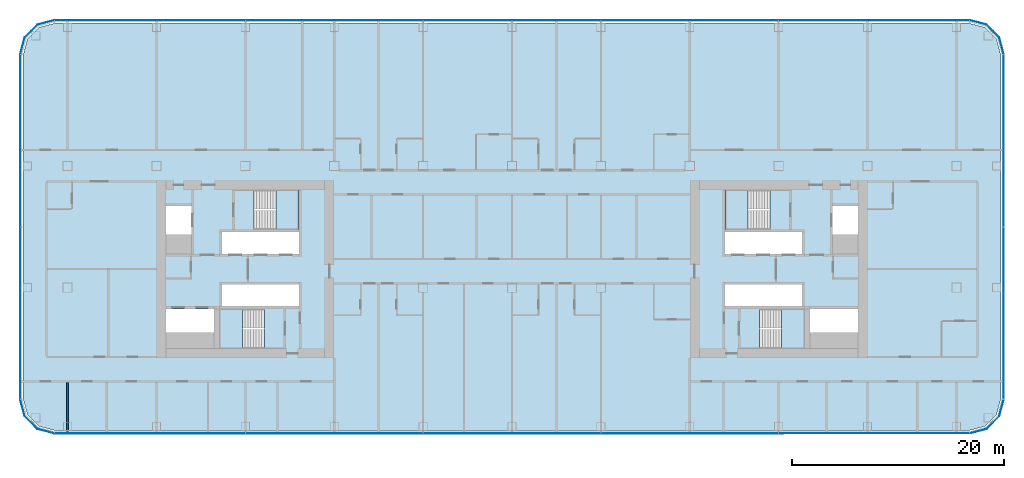
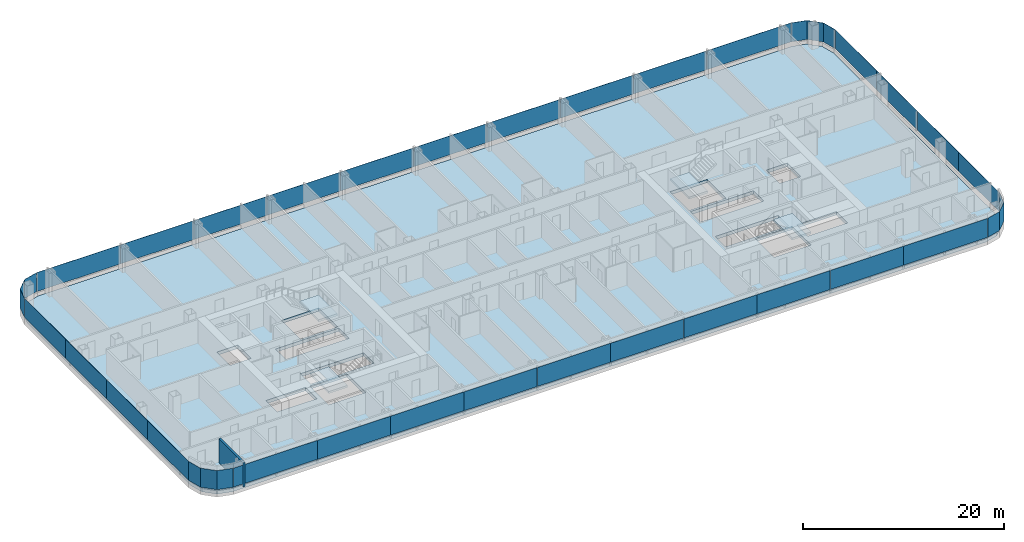
# One storey, part 14 of 29: 32 plates, 5 slabs, 1 wall, 12 elements without a shape of their own.
"""IFC4 building model written with IfcOpenShell, lengths in metres."""

from ifc_helpers import new_model, si_unit, direction, frame, frame_2d, origin, origin_2d, place, context, subcontext, project, spatial, polyline, rectangle, outline, extrude, material, layer, layer_set, type_object, element, aggregate, save


model = new_model("IFC4")

# Units and contexts
model_context = context("Model", 3, precision=1e-05, world=origin(), true_north=direction((0.0, 1.0)))
body_context = subcontext(model_context, "Body", "Model", "MODEL_VIEW")
ifc_project = project(units=[si_unit("LENGTHUNIT", "METRE"), si_unit("AREAUNIT", "SQUARE_METRE"), si_unit("VOLUMEUNIT", "CUBIC_METRE"), si_unit("PLANEANGLEUNIT", "RADIAN"), si_unit("MASSUNIT", "GRAM", prefix="KILO")], contexts=[model_context])

# Site, building, storey
site_placement = place(None, origin())
site = spatial("IfcSite", under=ifc_project, at=site_placement, CompositionType="ELEMENT")
building_placement = place(site_placement, origin())
building = spatial("IfcBuilding", under=site, at=building_placement, Name="Hakoniwa Tower and Hamabe Station Hall", CompositionType="ELEMENT")
storey_placement = place(building_placement, frame((0.0, 0.0, 117.0)))
storey = spatial("IfcBuildingStorey", under=building, at=storey_placement, Name="L33", CompositionType="ELEMENT", Elevation=117.0)

# Stair, slab
ifc_material_1 = material(Name="Concrete C40", Category="concrete")
stair_type = type_object("IfcStairType", Name="ESCAPE STAIR 1800", PredefinedType="HALF_TURN_STAIR", material=ifc_material_1)
stair_1_placement = place(storey_placement, origin())
stair_1 = element("IfcStair", 1, at=stair_1_placement, inside=storey, type_object=stair_type, Name="Escape stair ST-1 L33", PredefinedType="HALF_TURN_STAIR")
ifc_material_2 = material(Name="Concrete C40", Category="concrete")
ifc_layer_1 = layer(ifc_material_2, 0.25)
ifc_layer_set_1 = layer_set([ifc_layer_1], Name="CORE STAIR LANDING 250")
slab_type_1 = type_object("IfcSlabType", Name="CORE STAIR LANDING 250", PredefinedType="LANDING", material=ifc_layer_set_1)
slab_1_placement = place(storey_placement, frame((0.0, 0.0, 1.35009765625)))
slab_1 = element("IfcSlab", 2, at=slab_1_placement, type_object=slab_type_1, Name="ST-1 landing 1", PredefinedType="LANDING", context=body_context, shape_type="SweptSolid", body=[
    extrude(outline(polyline([(-22.320068359375, 3.75), (-20.14990234375, 3.75), (-20.14990234375, 7.5), (-22.320068359375, 7.5), (-22.320068359375, 3.75)])), origin(), (0.0, 0.0, 1.0), 0.25),
])
aggregate(stair_1, [slab_1])

stair_2_placement = place(storey_placement, origin())
stair_2 = element("IfcStair", 3, at=stair_2_placement, inside=storey, type_object=stair_type, Name="Escape stair ST-2 L33", PredefinedType="HALF_TURN_STAIR")
slab_2_placement = place(storey_placement, frame((0.0, 0.0, 1.35009765625)))
slab_2 = element("IfcSlab", 4, at=slab_2_placement, type_object=slab_type_1, Name="ST-2 landing 1", PredefinedType="LANDING", context=body_context, shape_type="SweptSolid", body=[
    extrude(outline(polyline([(-25.47998046875, -7.5), (-27.64990234375, -7.5), (-27.64990234375, -3.75), (-25.47998046875, -3.75), (-25.47998046875, -7.5)])), origin(), (0.0, 0.0, 1.0), 0.25),
])
aggregate(stair_2, [slab_2])

stair_3_placement = place(storey_placement, origin())
stair_3 = element("IfcStair", 5, at=stair_3_placement, inside=storey, type_object=stair_type, Name="Escape stair ST-3 L33", PredefinedType="HALF_TURN_STAIR")
slab_3_placement = place(storey_placement, frame((0.0, 0.0, 1.35009765625)))
slab_3 = element("IfcSlab", 6, at=slab_3_placement, type_object=slab_type_1, Name="ST-3 landing 1", PredefinedType="LANDING", context=body_context, shape_type="SweptSolid", body=[
    extrude(outline(polyline([(22.320068359375, 3.75), (20.14990234375, 3.75), (20.14990234375, 7.5), (22.320068359375, 7.5), (22.320068359375, 3.75)])), origin(), (0.0, 0.0, 1.0), 0.25),
])
aggregate(stair_3, [slab_3])

stair_4_placement = place(storey_placement, origin())
stair_4 = element("IfcStair", 7, at=stair_4_placement, inside=storey, type_object=stair_type, Name="Escape stair ST-4 L33", PredefinedType="HALF_TURN_STAIR")
slab_4_placement = place(storey_placement, frame((0.0, 0.0, 1.35009765625)))
slab_4 = element("IfcSlab", 8, at=slab_4_placement, type_object=slab_type_1, Name="ST-4 landing 1", PredefinedType="LANDING", context=body_context, shape_type="SweptSolid", body=[
    extrude(outline(polyline([(25.47998046875, -7.5), (27.64990234375, -7.5), (27.64990234375, -3.75), (25.47998046875, -3.75), (25.47998046875, -7.5)])), origin(), (0.0, 0.0, 1.0), 0.25),
])
aggregate(stair_4, [slab_4])

# Curtain wall, plates
ifc_material_3 = material(Name="Dark low-e laminated glass", Category="glass")
ifc_layer_2 = layer(ifc_material_3, 0.199951171875)
ifc_layer_set_2 = layer_set([ifc_layer_2], Name="CW-1 UNITISED GUEST")
curtain_wall_type = type_object("IfcCurtainWallType", Name="CW-1 UNITISED GUEST", PredefinedType="NOTDEFINED", material=ifc_layer_set_2)
curtain_wall_1_placement = place(storey_placement, origin())
curtain_wall_1 = element("IfcCurtainWall", 9, at=curtain_wall_1_placement, inside=storey, type_object=curtain_wall_type, Name="CW-1 curtain wall", PredefinedType="NOTDEFINED")
ifc_material_4 = material(Name="Dark low-e laminated glass", Category="glass")
ifc_layer_3 = layer(ifc_material_4, 0.028076171875)
ifc_layer_set_3 = layer_set([ifc_layer_3], Name="CW-1 GLASS UNIT")
plate_type = type_object("IfcPlateType", Name="CW-1 GLASS UNIT", PredefinedType="CURTAIN_PANEL", material=ifc_layer_set_3)
plate_1_placement = place(storey_placement, frame((46.486083984375, -8.217041015625, 0.35009765625), z_axis=(0.0, 0.0, 1.0), x_axis=(0.0, 1.0, 0.0)))
plate_1 = element("IfcPlate", 10, at=plate_1_placement, type_object=plate_type, Name="CW-1 glass unit", PredefinedType="CURTAIN_PANEL", context=body_context, shape_type="SweptSolid", body=[
    extrude(rectangle(XDim=8.124755859375, YDim=0.028076171875, at=origin_2d()), origin(), (0.0, 0.0, 1.0), 2.300048828125),
])
plate_2_placement = place(storey_placement, frame((46.486083984375, -0.072265625, 0.35009765625), z_axis=(0.0, 0.0, 1.0), x_axis=(0.0, 1.0, 0.0)))
plate_2 = element("IfcPlate", 11, at=plate_2_placement, type_object=plate_type, Name="CW-1 glass unit", PredefinedType="CURTAIN_PANEL", context=body_context, shape_type="SweptSolid", body=[
    extrude(rectangle(XDim=8.124755859375, YDim=0.028076171875, at=origin_2d()), origin(), (0.0, 0.0, 1.0), 2.300048828125),
])
plate_3_placement = place(storey_placement, frame((46.486083984375, 8.072265625, 0.35009765625), z_axis=(0.0, 0.0, 1.0), x_axis=(0.0, 1.0, 0.0)))
plate_3 = element("IfcPlate", 12, at=plate_3_placement, type_object=plate_type, Name="CW-1 glass unit", PredefinedType="CURTAIN_PANEL", context=body_context, shape_type="SweptSolid", body=[
    extrude(rectangle(XDim=8.124755859375, YDim=0.028076171875, at=origin_2d()), origin(), (0.0, 0.0, 1.0), 2.300048828125),
])
plate_4_placement = place(storey_placement, frame((46.486083984375, 16.217041015625, 0.35009765625), z_axis=(0.0, 0.0, 1.0), x_axis=(0.0, 1.0, 0.0)))
plate_4 = element("IfcPlate", 13, at=plate_4_placement, type_object=plate_type, Name="CW-1 glass unit", PredefinedType="CURTAIN_PANEL", context=body_context, shape_type="SweptSolid", body=[
    extrude(rectangle(XDim=8.124755859375, YDim=0.028076171875, at=origin_2d()), origin(), (0.0, 0.0, 1.0), 2.300048828125),
])
aggregate(curtain_wall_1, [plate_1, plate_2, plate_3, plate_4])

# Curtain wall, plate
curtain_wall_2_placement = place(storey_placement, origin())
curtain_wall_2 = element("IfcCurtainWall", 14, at=curtain_wall_2_placement, inside=storey, type_object=curtain_wall_type, Name="CW-1 curtain wall", PredefinedType="NOTDEFINED")
plate_5_placement = place(storey_placement, frame((0.0, 0.0, 0.35009765625)))
plate_5 = element("IfcPlate", 15, at=plate_5_placement, type_object=plate_type, Name="CW-1 curved corner unit", PredefinedType="CURTAIN_PANEL", context=body_context, shape_type="SweptSolid", body=[
    extrude(outline(polyline([(46.48974609375, 20.328125), (46.067138671875, 21.9052734375), (44.855224609375, 23.116943359375), (43.278076171875, 23.53955078125), (43.27099609375, 23.5126953125), (44.8408203125, 23.092041015625), (46.0419921875, 21.890869140625), (46.462646484375, 20.32080078125), (46.48974609375, 20.328125)])), origin(), (0.0, 0.0, 1.0), 2.2998046875),
])
aggregate(curtain_wall_2, [plate_5])

# Curtain wall, plates
curtain_wall_3_placement = place(storey_placement, origin())
curtain_wall_3 = element("IfcCurtainWall", 16, at=curtain_wall_3_placement, inside=storey, type_object=curtain_wall_type, Name="CW-1 curtain wall", PredefinedType="NOTDEFINED")
plate_6_placement = place(storey_placement, frame((38.419677734375, 23.535888671875, 0.35009765625), z_axis=(0.0, 0.0, 1.0), x_axis=(-1.0, 0.0, 0.0)))
plate_6 = element("IfcPlate", 17, at=plate_6_placement, type_object=plate_type, Name="CW-1 glass unit", PredefinedType="CURTAIN_PANEL", context=body_context, shape_type="SweptSolid", body=[
    extrude(rectangle(XDim=9.619384765625, YDim=0.028076171875, at=origin_2d()), origin(), (0.0, 0.0, 1.0), 2.300048828125),
])
plate_7_placement = place(storey_placement, frame((29.39990234375, 23.535888671875, 0.35009765625), z_axis=(0.0, 0.0, 1.0), x_axis=(-1.0, 0.0, 0.0)))
plate_7 = element("IfcPlate", 18, at=plate_7_placement, type_object=plate_type, Name="CW-1 glass unit", PredefinedType="CURTAIN_PANEL", context=body_context, shape_type="SweptSolid", body=[
    extrude(rectangle(XDim=8.3798828125, YDim=0.028076171875, at=origin_2d()), origin(), (0.0, 0.0, 1.0), 2.300048828125),
])
plate_8_placement = place(storey_placement, frame((21.0, 23.535888671875, 0.35009765625), z_axis=(0.0, 0.0, 1.0), x_axis=(-1.0, 0.0, 0.0)))
plate_8 = element("IfcPlate", 19, at=plate_8_placement, type_object=plate_type, Name="CW-1 glass unit", PredefinedType="CURTAIN_PANEL", context=body_context, shape_type="SweptSolid", body=[
    extrude(rectangle(XDim=8.3798828125, YDim=0.028076171875, at=origin_2d()), origin(), (0.0, 0.0, 1.0), 2.300048828125),
])
plate_9_placement = place(storey_placement, frame((12.60009765625, 23.535888671875, 0.35009765625), z_axis=(0.0, 0.0, 1.0), x_axis=(-1.0, 0.0, 0.0)))
plate_9 = element("IfcPlate", 20, at=plate_9_placement, type_object=plate_type, Name="CW-1 glass unit", PredefinedType="CURTAIN_PANEL", context=body_context, shape_type="SweptSolid", body=[
    extrude(rectangle(XDim=8.3798828125, YDim=0.028076171875, at=origin_2d()), origin(), (0.0, 0.0, 1.0), 2.300048828125),
])
plate_10_placement = place(storey_placement, frame((4.199951171875, 23.535888671875, 0.35009765625), z_axis=(0.0, 0.0, 1.0), x_axis=(-1.0, 0.0, 0.0)))
plate_10 = element("IfcPlate", 21, at=plate_10_placement, type_object=plate_type, Name="CW-1 glass unit", PredefinedType="CURTAIN_PANEL", context=body_context, shape_type="SweptSolid", body=[
    extrude(rectangle(XDim=8.3798828125, YDim=0.028076171875, at=origin_2d()), origin(), (0.0, 0.0, 1.0), 2.300048828125),
])
plate_11_placement = place(storey_placement, frame((-4.199951171875, 23.535888671875, 0.35009765625), z_axis=(0.0, 0.0, 1.0), x_axis=(-1.0, 0.0, 0.0)))
plate_11 = element("IfcPlate", 22, at=plate_11_placement, type_object=plate_type, Name="CW-1 glass unit", PredefinedType="CURTAIN_PANEL", context=body_context, shape_type="SweptSolid", body=[
    extrude(rectangle(XDim=8.3798828125, YDim=0.028076171875, at=origin_2d()), origin(), (0.0, 0.0, 1.0), 2.300048828125),
])
plate_12_placement = place(storey_placement, frame((-12.60009765625, 23.535888671875, 0.35009765625), z_axis=(0.0, 0.0, 1.0), x_axis=(-1.0, 0.0, 0.0)))
plate_12 = element("IfcPlate", 23, at=plate_12_placement, type_object=plate_type, Name="CW-1 glass unit", PredefinedType="CURTAIN_PANEL", context=body_context, shape_type="SweptSolid", body=[
    extrude(rectangle(XDim=8.3798828125, YDim=0.028076171875, at=origin_2d()), origin(), (0.0, 0.0, 1.0), 2.300048828125),
])
plate_13_placement = place(storey_placement, frame((-21.0, 23.535888671875, 0.35009765625), z_axis=(0.0, 0.0, 1.0), x_axis=(-1.0, 0.0, 0.0)))
plate_13 = element("IfcPlate", 24, at=plate_13_placement, type_object=plate_type, Name="CW-1 glass unit", PredefinedType="CURTAIN_PANEL", context=body_context, shape_type="SweptSolid", body=[
    extrude(rectangle(XDim=8.3798828125, YDim=0.028076171875, at=origin_2d()), origin(), (0.0, 0.0, 1.0), 2.300048828125),
])
plate_14_placement = place(storey_placement, frame((-29.39990234375, 23.535888671875, 0.35009765625), z_axis=(0.0, 0.0, 1.0), x_axis=(-1.0, 0.0, 0.0)))
plate_14 = element("IfcPlate", 25, at=plate_14_placement, type_object=plate_type, Name="CW-1 glass unit", PredefinedType="CURTAIN_PANEL", context=body_context, shape_type="SweptSolid", body=[
    extrude(rectangle(XDim=8.3798828125, YDim=0.028076171875, at=origin_2d()), origin(), (0.0, 0.0, 1.0), 2.300048828125),
])
plate_15_placement = place(storey_placement, frame((-38.419677734375, 23.535888671875, 0.35009765625), z_axis=(0.0, 0.0, 1.0), x_axis=(-1.0, 0.0, 0.0)))
plate_15 = element("IfcPlate", 26, at=plate_15_placement, type_object=plate_type, Name="CW-1 glass unit", PredefinedType="CURTAIN_PANEL", context=body_context, shape_type="SweptSolid", body=[
    extrude(rectangle(XDim=9.619384765625, YDim=0.028076171875, at=origin_2d()), origin(), (0.0, 0.0, 1.0), 2.300048828125),
])
aggregate(curtain_wall_3, [plate_6, plate_7, plate_8, plate_9, plate_10, plate_11, plate_12, plate_13, plate_14, plate_15])

# Curtain wall, plate
curtain_wall_4_placement = place(storey_placement, origin())
curtain_wall_4 = element("IfcCurtainWall", 27, at=curtain_wall_4_placement, inside=storey, type_object=curtain_wall_type, Name="CW-1 curtain wall", PredefinedType="NOTDEFINED")
plate_16_placement = place(storey_placement, frame((0.0, 0.0, 0.35009765625)))
plate_16 = element("IfcPlate", 28, at=plate_16_placement, type_object=plate_type, Name="CW-1 curved corner unit", PredefinedType="CURTAIN_PANEL", context=body_context, shape_type="SweptSolid", body=[
    extrude(outline(polyline([(-43.278076171875, 23.53955078125), (-44.855224609375, 23.116943359375), (-46.067138671875, 21.9052734375), (-46.48974609375, 20.328125), (-46.462646484375, 20.32080078125), (-46.0419921875, 21.890869140625), (-44.8408203125, 23.092041015625), (-43.27099609375, 23.5126953125), (-43.278076171875, 23.53955078125)])), origin(), (0.0, 0.0, 1.0), 2.2998046875),
])
aggregate(curtain_wall_4, [plate_16])

# Curtain wall, plates
curtain_wall_5_placement = place(storey_placement, origin())
curtain_wall_5 = element("IfcCurtainWall", 29, at=curtain_wall_5_placement, inside=storey, type_object=curtain_wall_type, Name="CW-1 curtain wall", PredefinedType="NOTDEFINED")
plate_17_placement = place(storey_placement, frame((-46.486083984375, 16.217041015625, 0.35009765625), z_axis=(0.0, 0.0, 1.0), x_axis=(0.0, -1.0, 0.0)))
plate_17 = element("IfcPlate", 30, at=plate_17_placement, type_object=plate_type, Name="CW-1 glass unit", PredefinedType="CURTAIN_PANEL", context=body_context, shape_type="SweptSolid", body=[
    extrude(rectangle(XDim=8.124755859375, YDim=0.028076171875, at=origin_2d()), origin(), (0.0, 0.0, 1.0), 2.300048828125),
])
plate_18_placement = place(storey_placement, frame((-46.486083984375, 8.072265625, 0.35009765625), z_axis=(0.0, 0.0, 1.0), x_axis=(0.0, -1.0, 0.0)))
plate_18 = element("IfcPlate", 31, at=plate_18_placement, type_object=plate_type, Name="CW-1 glass unit", PredefinedType="CURTAIN_PANEL", context=body_context, shape_type="SweptSolid", body=[
    extrude(rectangle(XDim=8.124755859375, YDim=0.028076171875, at=origin_2d()), origin(), (0.0, 0.0, 1.0), 2.300048828125),
])
plate_19_placement = place(storey_placement, frame((-46.486083984375, -0.072265625, 0.35009765625), z_axis=(0.0, 0.0, 1.0), x_axis=(0.0, -1.0, 0.0)))
plate_19 = element("IfcPlate", 32, at=plate_19_placement, type_object=plate_type, Name="CW-1 glass unit", PredefinedType="CURTAIN_PANEL", context=body_context, shape_type="SweptSolid", body=[
    extrude(rectangle(XDim=8.124755859375, YDim=0.028076171875, at=origin_2d()), origin(), (0.0, 0.0, 1.0), 2.300048828125),
])
plate_20_placement = place(storey_placement, frame((-46.486083984375, -8.217041015625, 0.35009765625), z_axis=(0.0, 0.0, 1.0), x_axis=(0.0, -1.0, 0.0)))
plate_20 = element("IfcPlate", 33, at=plate_20_placement, type_object=plate_type, Name="CW-1 glass unit", PredefinedType="CURTAIN_PANEL", context=body_context, shape_type="SweptSolid", body=[
    extrude(rectangle(XDim=8.124755859375, YDim=0.028076171875, at=origin_2d()), origin(), (0.0, 0.0, 1.0), 2.300048828125),
])
aggregate(curtain_wall_5, [plate_17, plate_18, plate_19, plate_20])

# Curtain wall, plate
curtain_wall_6_placement = place(storey_placement, origin())
curtain_wall_6 = element("IfcCurtainWall", 34, at=curtain_wall_6_placement, inside=storey, type_object=curtain_wall_type, Name="CW-1 curtain wall", PredefinedType="NOTDEFINED")
plate_21_placement = place(storey_placement, frame((0.0, 0.0, 0.35009765625)))
plate_21 = element("IfcPlate", 35, at=plate_21_placement, type_object=plate_type, Name="CW-1 curved corner unit", PredefinedType="CURTAIN_PANEL", context=body_context, shape_type="SweptSolid", body=[
    extrude(outline(polyline([(-46.48974609375, -12.328125), (-46.067138671875, -13.9052734375), (-44.855224609375, -15.116943359375), (-43.278076171875, -15.53955078125), (-43.27099609375, -15.5126953125), (-44.8408203125, -15.092041015625), (-46.0419921875, -13.890869140625), (-46.462646484375, -12.32080078125), (-46.48974609375, -12.328125)])), origin(), (0.0, 0.0, 1.0), 2.2998046875),
])
aggregate(curtain_wall_6, [plate_21])

# Curtain wall, plates
curtain_wall_7_placement = place(storey_placement, origin())
curtain_wall_7 = element("IfcCurtainWall", 36, at=curtain_wall_7_placement, inside=storey, type_object=curtain_wall_type, Name="CW-1 curtain wall", PredefinedType="NOTDEFINED")
plate_22_placement = place(storey_placement, frame((-38.419677734375, -15.535888671875, 0.35009765625), z_axis=(0.0, 0.0, 1.0), x_axis=(1.0, 0.0, 0.0)))
plate_22 = element("IfcPlate", 37, at=plate_22_placement, type_object=plate_type, Name="CW-1 glass unit", PredefinedType="CURTAIN_PANEL", context=body_context, shape_type="SweptSolid", body=[
    extrude(rectangle(XDim=9.619384765625, YDim=0.028076171875, at=origin_2d()), origin(), (0.0, 0.0, 1.0), 2.300048828125),
])
plate_23_placement = place(storey_placement, frame((-29.39990234375, -15.535888671875, 0.35009765625), z_axis=(0.0, 0.0, 1.0), x_axis=(1.0, 0.0, 0.0)))
plate_23 = element("IfcPlate", 38, at=plate_23_placement, type_object=plate_type, Name="CW-1 glass unit", PredefinedType="CURTAIN_PANEL", context=body_context, shape_type="SweptSolid", body=[
    extrude(rectangle(XDim=8.3798828125, YDim=0.028076171875, at=origin_2d()), origin(), (0.0, 0.0, 1.0), 2.300048828125),
])
plate_24_placement = place(storey_placement, frame((-21.0, -15.535888671875, 0.35009765625), z_axis=(0.0, 0.0, 1.0), x_axis=(1.0, 0.0, 0.0)))
plate_24 = element("IfcPlate", 39, at=plate_24_placement, type_object=plate_type, Name="CW-1 glass unit", PredefinedType="CURTAIN_PANEL", context=body_context, shape_type="SweptSolid", body=[
    extrude(rectangle(XDim=8.3798828125, YDim=0.028076171875, at=origin_2d()), origin(), (0.0, 0.0, 1.0), 2.300048828125),
])
plate_25_placement = place(storey_placement, frame((-12.60009765625, -15.535888671875, 0.35009765625), z_axis=(0.0, 0.0, 1.0), x_axis=(1.0, 0.0, 0.0)))
plate_25 = element("IfcPlate", 40, at=plate_25_placement, type_object=plate_type, Name="CW-1 glass unit", PredefinedType="CURTAIN_PANEL", context=body_context, shape_type="SweptSolid", body=[
    extrude(rectangle(XDim=8.3798828125, YDim=0.028076171875, at=origin_2d()), origin(), (0.0, 0.0, 1.0), 2.300048828125),
])
plate_26_placement = place(storey_placement, frame((-4.199951171875, -15.535888671875, 0.35009765625), z_axis=(0.0, 0.0, 1.0), x_axis=(1.0, 0.0, 0.0)))
plate_26 = element("IfcPlate", 41, at=plate_26_placement, type_object=plate_type, Name="CW-1 glass unit", PredefinedType="CURTAIN_PANEL", context=body_context, shape_type="SweptSolid", body=[
    extrude(rectangle(XDim=8.3798828125, YDim=0.028076171875, at=origin_2d()), origin(), (0.0, 0.0, 1.0), 2.300048828125),
])
plate_27_placement = place(storey_placement, frame((4.199951171875, -15.535888671875, 0.35009765625), z_axis=(0.0, 0.0, 1.0), x_axis=(1.0, 0.0, 0.0)))
plate_27 = element("IfcPlate", 42, at=plate_27_placement, type_object=plate_type, Name="CW-1 glass unit", PredefinedType="CURTAIN_PANEL", context=body_context, shape_type="SweptSolid", body=[
    extrude(rectangle(XDim=8.3798828125, YDim=0.028076171875, at=origin_2d()), origin(), (0.0, 0.0, 1.0), 2.300048828125),
])
plate_28_placement = place(storey_placement, frame((12.60009765625, -15.535888671875, 0.35009765625), z_axis=(0.0, 0.0, 1.0), x_axis=(1.0, 0.0, 0.0)))
plate_28 = element("IfcPlate", 43, at=plate_28_placement, type_object=plate_type, Name="CW-1 glass unit", PredefinedType="CURTAIN_PANEL", context=body_context, shape_type="SweptSolid", body=[
    extrude(rectangle(XDim=8.3798828125, YDim=0.028076171875, at=origin_2d()), origin(), (0.0, 0.0, 1.0), 2.300048828125),
])
plate_29_placement = place(storey_placement, frame((21.0, -15.535888671875, 0.35009765625), z_axis=(0.0, 0.0, 1.0), x_axis=(1.0, 0.0, 0.0)))
plate_29 = element("IfcPlate", 44, at=plate_29_placement, type_object=plate_type, Name="CW-1 glass unit", PredefinedType="CURTAIN_PANEL", context=body_context, shape_type="SweptSolid", body=[
    extrude(rectangle(XDim=8.3798828125, YDim=0.028076171875, at=origin_2d()), origin(), (0.0, 0.0, 1.0), 2.300048828125),
])
plate_30_placement = place(storey_placement, frame((29.39990234375, -15.535888671875, 0.35009765625), z_axis=(0.0, 0.0, 1.0), x_axis=(1.0, 0.0, 0.0)))
plate_30 = element("IfcPlate", 45, at=plate_30_placement, type_object=plate_type, Name="CW-1 glass unit", PredefinedType="CURTAIN_PANEL", context=body_context, shape_type="SweptSolid", body=[
    extrude(rectangle(XDim=8.3798828125, YDim=0.028076171875, at=origin_2d()), origin(), (0.0, 0.0, 1.0), 2.300048828125),
])
plate_31_placement = place(storey_placement, frame((38.419677734375, -15.535888671875, 0.35009765625), z_axis=(0.0, 0.0, 1.0), x_axis=(1.0, 0.0, 0.0)))
plate_31 = element("IfcPlate", 46, at=plate_31_placement, type_object=plate_type, Name="CW-1 glass unit", PredefinedType="CURTAIN_PANEL", context=body_context, shape_type="SweptSolid", body=[
    extrude(rectangle(XDim=9.619384765625, YDim=0.028076171875, at=origin_2d()), origin(), (0.0, 0.0, 1.0), 2.300048828125),
])
aggregate(curtain_wall_7, [plate_22, plate_23, plate_24, plate_25, plate_26, plate_27, plate_28, plate_29, plate_30, plate_31])

# Curtain wall, plate
curtain_wall_8_placement = place(storey_placement, origin())
curtain_wall_8 = element("IfcCurtainWall", 47, at=curtain_wall_8_placement, inside=storey, type_object=curtain_wall_type, Name="CW-1 curtain wall", PredefinedType="NOTDEFINED")
plate_32_placement = place(storey_placement, frame((0.0, 0.0, 0.35009765625)))
plate_32 = element("IfcPlate", 48, at=plate_32_placement, type_object=plate_type, Name="CW-1 curved corner unit", PredefinedType="CURTAIN_PANEL", context=body_context, shape_type="SweptSolid", body=[
    extrude(outline(polyline([(43.278076171875, -15.53955078125), (44.855224609375, -15.116943359375), (46.067138671875, -13.9052734375), (46.48974609375, -12.328125), (46.462646484375, -12.32080078125), (46.0419921875, -13.890869140625), (44.8408203125, -15.092041015625), (43.27099609375, -15.5126953125), (43.278076171875, -15.53955078125)])), origin(), (0.0, 0.0, 1.0), 2.2998046875),
])
aggregate(curtain_wall_8, [plate_32])

# Slab
ifc_material_5 = material(Name="Concrete C42", Category="concrete")
ifc_layer_4 = layer(ifc_material_5, 0.39990234375)
ifc_layer_set_4 = layer_set([ifc_layer_4], Name="PT FLAT PLATE 400")
slab_type_2 = type_object("IfcSlabType", Name="PT FLAT PLATE 400", PredefinedType="FLOOR", material=ifc_layer_set_4)
slab_5_placement = place(storey_placement, frame((0.0, 0.0, -0.39990234375)))
element("IfcSlab", 49, at=slab_5_placement, inside=storey, type_object=slab_type_2, Name="Floor slab L33", PredefinedType="FLOOR", context=body_context, shape_type="SweptSolid", body=[
    extrude(outline(polyline([(46.199951171875, -12.25), (46.199951171875, 20.25), (45.798095703125, 21.75), (44.699951171875, 22.84814453125), (43.199951171875, 23.25), (-43.199951171875, 23.25), (-44.699951171875, 22.84814453125), (-45.798095703125, 21.75), (-46.199951171875, 20.25), (-46.199951171875, -12.25), (-45.798095703125, -13.75), (-44.699951171875, -14.84814453125), (-43.199951171875, -15.25), (43.199951171875, -15.25), (44.699951171875, -14.84814453125), (45.798095703125, -13.75), (46.199951171875, -12.25)]), holes=[polyline([(-27.39990234375, 1.449951171875), (-27.39990234375, 3.5), (-20.14990234375, 3.5), (-20.14990234375, 1.449951171875), (-27.39990234375, 1.449951171875)]), polyline([(-27.39990234375, -3.5), (-27.39990234375, -1.449951171875), (-20.14990234375, -1.449951171875), (-20.14990234375, -3.5), (-27.39990234375, -3.5)]), polyline([(-32.699951171875, 3.300048828125), (-32.699951171875, 5.949951171875), (-30.300048828125, 5.949951171875), (-30.300048828125, 3.300048828125), (-32.699951171875, 3.300048828125)]), polyline([(-32.699951171875, -6.0), (-32.699951171875, -3.75), (-28.14990234375, -3.75), (-28.14990234375, -6.0), (-32.699951171875, -6.0)]), polyline([(-24.389892578125, 3.75), (-24.389892578125, 7.5), (-20.14990234375, 7.5), (-20.14990234375, 3.75), (-24.389892578125, 3.75)]), polyline([(-27.64990234375, -7.5), (-27.64990234375, -3.75), (-23.409912109375, -3.75), (-23.409912109375, -7.5), (-27.64990234375, -7.5)]), polyline([(20.14990234375, 1.449951171875), (20.14990234375, 3.5), (27.39990234375, 3.5), (27.39990234375, 1.449951171875), (20.14990234375, 1.449951171875)]), polyline([(20.14990234375, -3.5), (20.14990234375, -1.449951171875), (27.39990234375, -1.449951171875), (27.39990234375, -3.5), (20.14990234375, -3.5)]), polyline([(30.300048828125, 3.300048828125), (30.300048828125, 5.949951171875), (32.699951171875, 5.949951171875), (32.699951171875, 3.300048828125), (30.300048828125, 3.300048828125)]), polyline([(28.14990234375, -6.0), (28.14990234375, -3.75), (32.699951171875, -3.75), (32.699951171875, -6.0), (28.14990234375, -6.0)]), polyline([(20.14990234375, 3.75), (20.14990234375, 7.5), (24.389892578125, 7.5), (24.389892578125, 3.75), (20.14990234375, 3.75)]), polyline([(23.409912109375, -7.5), (23.409912109375, -3.75), (27.64990234375, -3.75), (27.64990234375, -7.5), (23.409912109375, -7.5)])]), origin(), (0.0, 0.0, 1.0), 0.39990234375),
])

# Wall
ifc_material_6 = material(Name="Fire-rated gypsum board partition", Category="gypsum")
ifc_layer_5 = layer(ifc_material_6, 0.199951171875)
ifc_layer_set_5 = layer_set([ifc_layer_5], Name="Party Wall 200")
wall_type = type_object("IfcWallType", Name="Party Wall 200", PredefinedType="PARTITIONING", material=ifc_layer_set_5)
wall_placement = place(storey_placement, frame((-42.0, -15.550048828125, 0.0), z_axis=(0.0, 0.0, 1.0), x_axis=(0.0, 1.0, 0.0)))
element("IfcWall", 50, at=wall_placement, inside=storey, type_object=wall_type, Name="GW-L33-030", PredefinedType="PARTITIONING", context=body_context, shape_type="SweptSolid", body=[
    extrude(rectangle(XDim=4.85009765625, YDim=0.199951171875, at=frame_2d((2.425048828125, 0.0))), origin(), (0.0, 0.0, 1.0), 2.89990234375),
])

save(model, "model.ifc")
